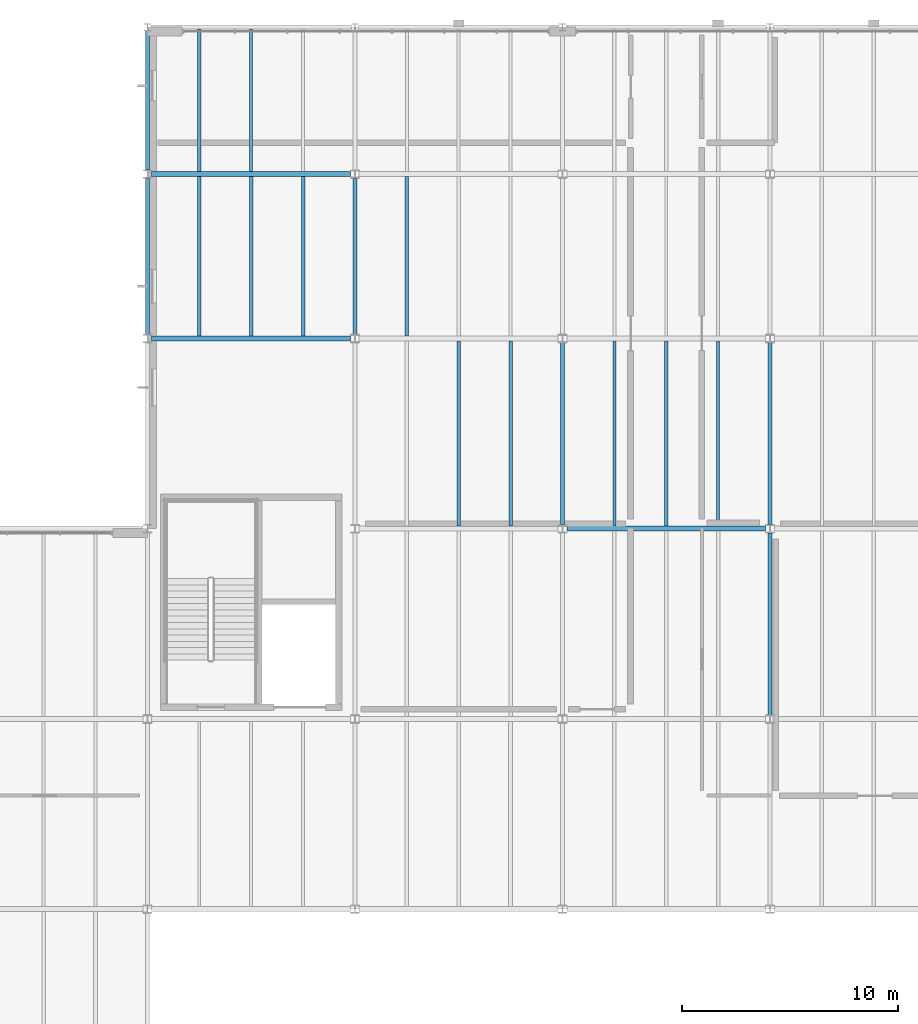
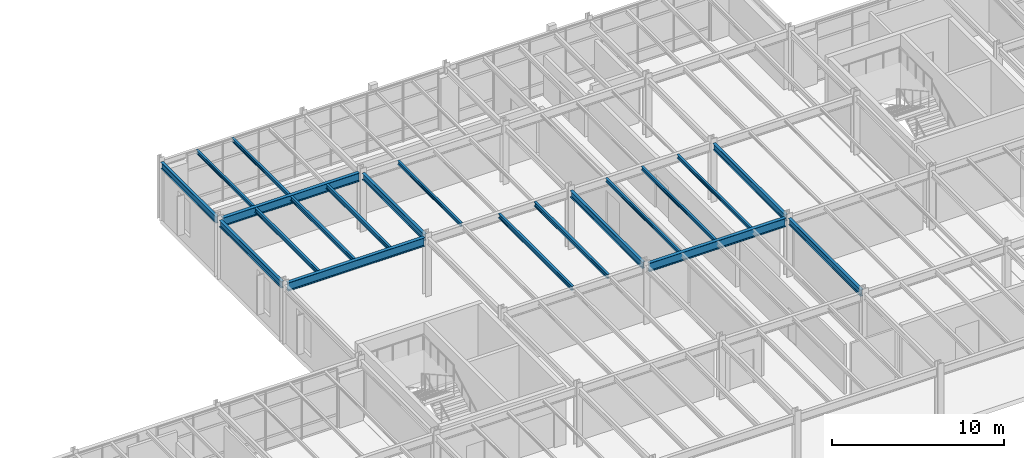
# One storey, part 34 of 77: 20 beams.
"""IFC4 building model written with IfcOpenShell, lengths in metres."""

from ifc_helpers import new_model, si_unit, direction, frame, origin, origin_2d, place, context, subcontext, project, spatial, i_section, extrude, material, material_profile, profile_set, type_object, element, save


model = new_model("IFC4")

# Units and contexts
model_context = context("Model", 3, precision=1e-05, world=origin(), true_north=direction((0.0, 1.0)))
body_context = subcontext(model_context, "Body", "Model", "MODEL_VIEW")
ifc_project = project(units=[si_unit("LENGTHUNIT", "METRE"), si_unit("AREAUNIT", "SQUARE_METRE"), si_unit("VOLUMEUNIT", "CUBIC_METRE"), si_unit("PLANEANGLEUNIT", "RADIAN"), si_unit("MASSUNIT", "GRAM", prefix="KILO")], contexts=[model_context])

# Site, building, storey
site_placement = place(None, origin())
site = spatial("IfcSite", under=ifc_project, at=site_placement, CompositionType="ELEMENT")
building_placement = place(site_placement, origin())
building = spatial("IfcBuilding", under=site, at=building_placement, Name="Sarnbrook Museum", CompositionType="ELEMENT")
storey_placement = place(building_placement, frame((0.0, 0.0, 5.60009765625)))
storey = spatial("IfcBuildingStorey", under=building, at=storey_placement, Name="L01", CompositionType="ELEMENT", Elevation=5.60009765625)

# Beams
ifc_material = material(Name="Structural Steel Grade 300PLUS (AS/NZS 3679.1, fy = 280 MPa for 17 < t <= 40 mm, 300 MPa for t <= 17 mm)", Category="steel")
ifc_material_profile_1 = material_profile(ifc_material, i_section(OverallWidth=0.18994140625, OverallDepth=0.45703125, WebThickness=0.009033203125, FlangeThickness=0.014404296875, FilletRadius=0.011474609375, at=origin_2d()), Name="460UB74.6")
ifc_profile_set_1 = profile_set([ifc_material_profile_1], Name="Structural Steel Grade 300PLUS (AS/NZS 3679.1, fy = 280 MPa for 17 < t <= 40 mm, 300 MPa for t <= 17 mm)")
beam_type_1 = type_object("IfcBeamType", Name="BM-UB460", PredefinedType="BEAM", material=ifc_profile_set_1)
beam_1_placement = place(storey_placement, frame((42.39990234375, 100.990966796875, 3.951416015625), z_axis=(0.0, 1.0, 0.0), x_axis=(-1.0, 0.0, 0.0)))
element("IfcBeam", 1, at=beam_1_placement, inside=storey, type_object=beam_type_1, Name="Girder 5:M-N L01", PredefinedType="BEAM", context=body_context, shape_type="SweptSolid", body=[
    extrude(i_section(OverallWidth=0.18994140625, OverallDepth=0.45703125, WebThickness=0.009033203125, FlangeThickness=0.014404296875, FilletRadius=0.011474609375, at=origin_2d()), origin(), (0.0, 0.0, 1.0), 7.218017578125),
])
beam_2_placement = place(storey_placement, frame((42.39990234375, 108.591064453125, 3.951416015625), z_axis=(0.0, 1.0, 0.0), x_axis=(-1.0, 0.0, 0.0)))
element("IfcBeam", 2, at=beam_2_placement, inside=storey, type_object=beam_type_1, Name="Girder 5:N-P L01", PredefinedType="BEAM", context=body_context, shape_type="SweptSolid", body=[
    extrude(i_section(OverallWidth=0.18994140625, OverallDepth=0.45703125, WebThickness=0.009033203125, FlangeThickness=0.014404296875, FilletRadius=0.011474609375, at=origin_2d()), origin(), (0.0, 0.0, 1.0), 6.445556640625),
])
beam_3_placement = place(storey_placement, frame((52.0, 100.990966796875, 3.951416015625), z_axis=(0.0, 1.0, 0.0), x_axis=(-1.0, 0.0, 0.0)))
element("IfcBeam", 3, at=beam_3_placement, inside=storey, type_object=beam_type_1, Name="Girder 6:M-N L01", PredefinedType="BEAM", context=body_context, shape_type="SweptSolid", body=[
    extrude(i_section(OverallWidth=0.18994140625, OverallDepth=0.45703125, WebThickness=0.009033203125, FlangeThickness=0.014404296875, FilletRadius=0.011474609375, at=origin_2d()), origin(), (0.0, 0.0, 1.0), 7.218017578125),
])
for number, where, z_axis, x_axis, name in (
    (4, (61.60009765625, 92.19091796875, 3.951416015625), (0.0, 1.0, 0.0), (-1.0, 0.0, 0.0), "Girder 7:L-M L01"),
    (5, (71.199951171875, 83.39111328125, 3.951416015625), (0.0, 1.0, 0.0), (-1.0, 0.0, 0.0), "Girder 8:K-L L01"),
    (6, (71.199951171875, 92.19091796875, 3.951416015625), (0.0, 1.0, 0.0), (-1.0, 0.0, 0.0), "Girder 8:L-M L01"),
):
    element("IfcBeam", number, at=place(storey_placement, frame(where, z_axis=z_axis, x_axis=x_axis)), inside=storey, type_object=beam_type_1, Name=name, PredefinedType="BEAM", context=body_context, shape_type="SweptSolid", body=[
        extrude(i_section(OverallWidth=0.18994140625, OverallDepth=0.45703125, WebThickness=0.009033203125, FlangeThickness=0.014404296875, FilletRadius=0.011474609375, at=origin_2d()), origin(), (0.0, 0.0, 1.0), 8.41796875),
    ])
ifc_material_profile_2 = material_profile(ifc_material, i_section(OverallWidth=0.22802734375, OverallDepth=0.60693359375, WebThickness=0.01123046875, FlangeThickness=0.017333984375, FilletRadius=0.013916015625, at=origin_2d()), Name="610UB113")
ifc_profile_set_2 = profile_set([ifc_material_profile_2], Name="Structural Steel Grade 300PLUS (AS/NZS 3679.1, fy = 280 MPa for 17 < t <= 40 mm, 300 MPa for t <= 17 mm)")
beam_type_2 = type_object("IfcBeamType", Name="BM-UB610", PredefinedType="BEAM", material=ifc_profile_set_2)
for number, where, z_axis, x_axis, name in (
    (7, (61.800048828125, 92.0, 3.87646484375), (1.0, 0.0, 0.0), (0.0, 1.0, 0.0), "Girder L:7-8 L01"),
    (8, (42.60009765625, 100.800048828125, 3.87646484375), (1.0, 0.0, 0.0), (0.0, 1.0, 0.0), "Girder M:5-6 L01"),
    (9, (42.60009765625, 108.39990234375, 3.87646484375), (1.0, 0.0, 0.0), (0.0, 1.0, 0.0), "Girder N:5-6 L01"),
):
    element("IfcBeam", number, at=place(storey_placement, frame(where, z_axis=z_axis, x_axis=x_axis)), inside=storey, type_object=beam_type_2, Name=name, PredefinedType="BEAM", context=body_context, shape_type="SweptSolid", body=[
        extrude(i_section(OverallWidth=0.22802734375, OverallDepth=0.60693359375, WebThickness=0.01123046875, FlangeThickness=0.017333984375, FilletRadius=0.013916015625, at=origin_2d()), origin(), (0.0, 0.0, 1.0), 9.199951171875),
    ])
ifc_material_profile_3 = material_profile(ifc_material, i_section(OverallWidth=0.14599609375, OverallDepth=0.256103515625, WebThickness=0.00634765625, FlangeThickness=0.010986328125, FilletRadius=0.0087890625, at=origin_2d()), Name="250UB37.3")
ifc_profile_set_3 = profile_set([ifc_material_profile_3], Name="Structural Steel Grade 300PLUS (AS/NZS 3679.1, fy = 280 MPa for 17 < t <= 40 mm, 300 MPa for t <= 17 mm)")
beam_type_3 = type_object("IfcBeamType", Name="JS-UB250", PredefinedType="JOIST", material=ifc_profile_set_3)
for number, where, z_axis, x_axis, name in (
    (10, (44.800048828125, 108.513916015625, 4.052001953125), (0.0, 1.0, 0.0), (-1.0, 0.0, 0.0), "Composite Floor Joist 5N-1 L01"),
    (11, (47.199951171875, 108.513916015625, 4.052001953125), (0.0, 1.0, 0.0), (-1.0, 0.0, 0.0), "Composite Floor Joist 5N-2 L01"),
):
    element("IfcBeam", number, at=place(storey_placement, frame(where, z_axis=z_axis, x_axis=x_axis)), inside=storey, type_object=beam_type_3, Name=name, PredefinedType="JOIST", context=body_context, shape_type="SweptSolid", body=[
        extrude(i_section(OverallWidth=0.14599609375, OverallDepth=0.256103515625, WebThickness=0.00634765625, FlangeThickness=0.010986328125, FilletRadius=0.0087890625, at=origin_2d()), origin(), (0.0, 0.0, 1.0), 6.59716796875),
    ])
beam_4_placement = place(storey_placement, frame((54.39990234375, 100.9140625, 4.052001953125), z_axis=(0.0, 1.0, 0.0), x_axis=(-1.0, 0.0, 0.0)))
element("IfcBeam", 12, at=beam_4_placement, inside=storey, type_object=beam_type_3, Name="Composite Floor Joist 6M-1 L01", PredefinedType="JOIST", context=body_context, shape_type="SweptSolid", body=[
    extrude(i_section(OverallWidth=0.14599609375, OverallDepth=0.256103515625, WebThickness=0.00634765625, FlangeThickness=0.010986328125, FilletRadius=0.0087890625, at=origin_2d()), origin(), (0.0, 0.0, 1.0), 7.371826171875),
])
for number, where, z_axis, x_axis, name in (
    (13, (64.0, 92.114013671875, 4.052001953125), (0.0, 1.0, 0.0), (-1.0, 0.0, 0.0), "Composite Floor Joist 7L-1 L01"),
    (14, (66.39990234375, 92.114013671875, 4.052001953125), (0.0, 1.0, 0.0), (-1.0, 0.0, 0.0), "Composite Floor Joist 7L-2 L01"),
    (15, (68.800048828125, 92.114013671875, 4.052001953125), (0.0, 1.0, 0.0), (-1.0, 0.0, 0.0), "Composite Floor Joist 7L-3 L01"),
):
    element("IfcBeam", number, at=place(storey_placement, frame(where, z_axis=z_axis, x_axis=x_axis)), inside=storey, type_object=beam_type_3, Name=name, PredefinedType="JOIST", context=body_context, shape_type="SweptSolid", body=[
        extrude(i_section(OverallWidth=0.14599609375, OverallDepth=0.256103515625, WebThickness=0.00634765625, FlangeThickness=0.010986328125, FilletRadius=0.0087890625, at=origin_2d()), origin(), (0.0, 0.0, 1.0), 8.572021484375),
    ])
ifc_material_profile_4 = material_profile(ifc_material, i_section(OverallWidth=0.1650390625, OverallDepth=0.303955078125, WebThickness=0.006103515625, FlangeThickness=0.01025390625, FilletRadius=0.011474609375, at=origin_2d()), Name="310UB40.4")
ifc_profile_set_4 = profile_set([ifc_material_profile_4], Name="Structural Steel Grade 300PLUS (AS/NZS 3679.1, fy = 280 MPa for 17 < t <= 40 mm, 300 MPa for t <= 17 mm)")
beam_type_4 = type_object("IfcBeamType", Name="JS-UB310", PredefinedType="JOIST", material=ifc_profile_set_4)
for number, where, z_axis, x_axis, name in (
    (16, (44.800048828125, 100.9140625, 4.02783203125), (0.0, 1.0, 0.0), (-1.0, 0.0, 0.0), "Composite Floor Joist 5M-1 L01"),
    (17, (47.199951171875, 100.9140625, 4.02783203125), (0.0, 1.0, 0.0), (-1.0, 0.0, 0.0), "Composite Floor Joist 5M-2 L01"),
    (18, (49.60009765625, 100.9140625, 4.02783203125), (0.0, 1.0, 0.0), (-1.0, 0.0, 0.0), "Composite Floor Joist 5M-3 L01"),
):
    element("IfcBeam", number, at=place(storey_placement, frame(where, z_axis=z_axis, x_axis=x_axis)), inside=storey, type_object=beam_type_4, Name=name, PredefinedType="JOIST", context=body_context, shape_type="SweptSolid", body=[
        extrude(i_section(OverallWidth=0.1650390625, OverallDepth=0.303955078125, WebThickness=0.006103515625, FlangeThickness=0.01025390625, FilletRadius=0.011474609375, at=origin_2d()), origin(), (0.0, 0.0, 1.0), 7.371826171875),
    ])
for number, where, z_axis, x_axis, name in (
    (19, (56.800048828125, 92.114013671875, 4.02783203125), (0.0, 1.0, 0.0), (-1.0, 0.0, 0.0), "Composite Floor Joist 6L-2 L01"),
    (20, (59.199951171875, 92.114013671875, 4.02783203125), (0.0, 1.0, 0.0), (-1.0, 0.0, 0.0), "Composite Floor Joist 6L-3 L01"),
):
    element("IfcBeam", number, at=place(storey_placement, frame(where, z_axis=z_axis, x_axis=x_axis)), inside=storey, type_object=beam_type_4, Name=name, PredefinedType="JOIST", context=body_context, shape_type="SweptSolid", body=[
        extrude(i_section(OverallWidth=0.1650390625, OverallDepth=0.303955078125, WebThickness=0.006103515625, FlangeThickness=0.01025390625, FilletRadius=0.011474609375, at=origin_2d()), origin(), (0.0, 0.0, 1.0), 8.572021484375),
    ])

save(model, "model.ifc")
